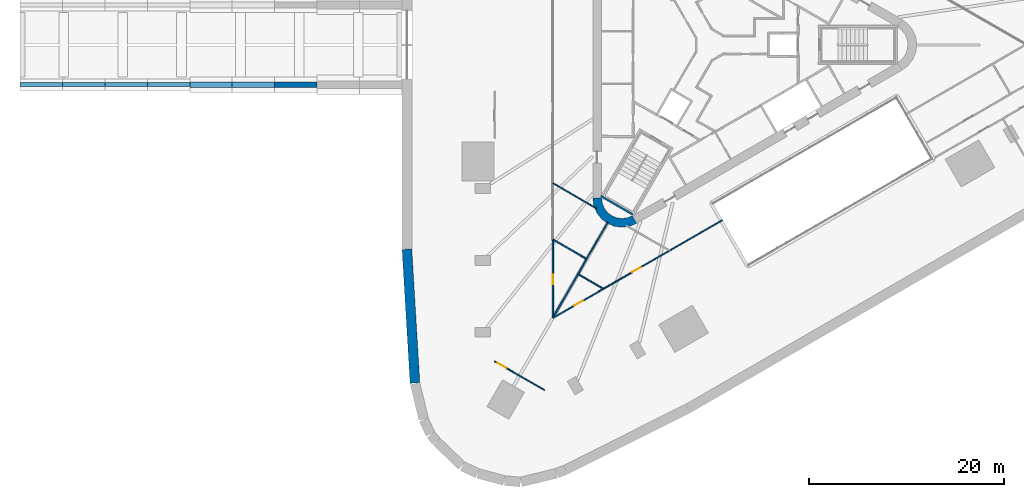
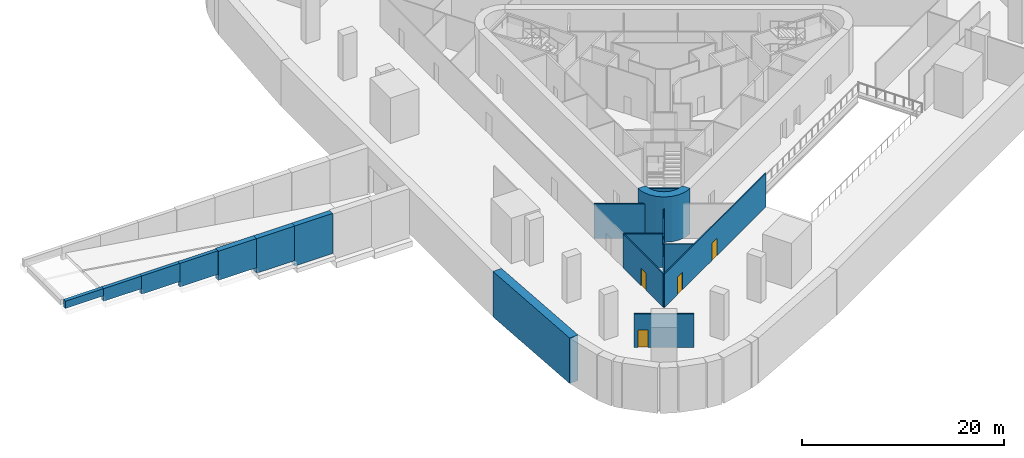
# One storey, part 3 of 13: 19 walls, 4 doors, 4 openings.
"""IFC4 building model written with IfcOpenShell, lengths in metres."""

from ifc_helpers import new_model, si_unit, direction, frame, frame_2d, origin, place, context, subcontext, project, spatial, polyline, rectangle, outline, extrude, material, layer, layer_set, type_object, element, fill, save


model = new_model("IFC4")

# Units and contexts
model_context = context("Model", 3, precision=1e-05, world=origin(), true_north=direction((0.0, 1.0)))
body_context = subcontext(model_context, "Body", "Model", "MODEL_VIEW")
ifc_project = project(units=[si_unit("LENGTHUNIT", "METRE"), si_unit("AREAUNIT", "SQUARE_METRE"), si_unit("VOLUMEUNIT", "CUBIC_METRE"), si_unit("PLANEANGLEUNIT", "RADIAN"), si_unit("MASSUNIT", "GRAM", prefix="KILO")], contexts=[model_context])

# Site, building, storey
site_placement = place(None, origin())
site = spatial("IfcSite", under=ifc_project, at=site_placement, CompositionType="ELEMENT")
building_placement = place(site_placement, origin())
building = spatial("IfcBuilding", under=site, at=building_placement, Name="Tanit Gate Tower", CompositionType="ELEMENT")
storey_placement = place(building_placement, frame((0.0, 0.0, -5.5)))
storey = spatial("IfcBuildingStorey", under=building, at=storey_placement, Name="B1", CompositionType="ELEMENT", Elevation=-5.5)

# Walls
ifc_material_1 = material(Name="Concrete C60/75", Category="concrete")
ifc_layer_1 = layer(ifc_material_1, 0.89990234375)
ifc_layer_set_1 = layer_set([ifc_layer_1], Name="CORE WALL 900 C60/75")
wall_type_1 = type_object("IfcWallType", Name="CORE WALL 900 C60/75", PredefinedType="SHEAR", material=ifc_layer_set_1)
wall_1_placement = place(storey_placement, origin())
element("IfcWall", 1, at=wall_1_placement, inside=storey, type_object=wall_type_1, Name="CORE WALL CORNER", PredefinedType="SHEAR", context=body_context, shape_type="SweptSolid", body=[
    extrude(outline(polyline([(-12.10009765625, -15.76171875), (-11.997802734375, -16.5380859375), (-11.697998046875, -17.26171875), (-11.22119140625, -17.883056640625), (-10.60009765625, -18.359619140625), (-9.87646484375, -18.659423828125), (-9.10009765625, -18.76171875), (-8.323486328125, -18.659423828125), (-7.60009765625, -18.359619140625), (-8.050048828125, -17.580322265625), (-8.556396484375, -17.7900390625), (-9.10009765625, -17.86181640625), (-9.6435546875, -17.7900390625), (-10.14990234375, -17.580322265625), (-10.5849609375, -17.24658203125), (-10.918701171875, -16.811767578125), (-11.12841796875, -16.30517578125), (-11.199951171875, -15.76171875), (-12.10009765625, -15.76171875)])), origin(), (0.0, 0.0, 1.0), 5.5),
])
ifc_material_2 = material(Name="Concrete C35/45", Category="concrete")
ifc_layer_2 = layer(ifc_material_2, 1.0)
ifc_layer_set_2 = layer_set([ifc_layer_2], Name="DIAPHRAGM WALL 1000 C35/45")
wall_type_2 = type_object("IfcWallType", Name="DIAPHRAGM WALL 1000 C35/45", PredefinedType="SHEAR", material=ifc_layer_set_2)
wall_2_placement = place(storey_placement, frame((-30.391845703125, -34.78173828125, 0.0), z_axis=(0.0, 0.0, 1.0), x_axis=(-0.059791438035, 0.998210891514, 0.0)))
element("IfcWall", 2, at=wall_2_placement, inside=storey, type_object=wall_type_2, Name="DIAPHRAGM WALL", PredefinedType="SHEAR", context=body_context, shape_type="SweptSolid", body=[
    extrude(rectangle(XDim=13.797119140625, YDim=1.0, at=frame_2d((6.8984375, 0.0))), origin(), (0.0, 0.0, 1.0), 5.5),
])

# Wall, openings, doors
ifc_material_3 = material(Name="Gypsum board partition")
ifc_layer_3 = layer(ifc_material_3, 0.1201171875)
ifc_layer_set_3 = layer_set([ifc_layer_3], Name="INT-WALL-PARTITION")
wall_type_3 = type_object("IfcWallType", Name="INT-WALL-PARTITION", PredefinedType="PARTITIONING", material=ifc_layer_set_3)
wall_3_placement = place(storey_placement, frame((-16.18994140625, -28.07666015625, 0.0), z_axis=(0.0, 0.0, 1.0), x_axis=(0.866271440356, 0.499573609816, 0.0)))
wall_3 = element("IfcWall", 3, at=wall_3_placement, inside=storey, type_object=wall_type_3, Name="Wall Partition W097", PredefinedType="PARTITIONING", context=body_context, shape_type="SweptSolid", body=[
    extrude(rectangle(XDim=20.1171875, YDim=0.1201171875, at=frame_2d((10.05859375, 0.0))), origin(), (0.0, 0.0, 1.0), 4.070068359375),
])
opening_1_placement = place(wall_3_placement, frame((9.397216796875, 0.0, 0.0)))
opening_1 = element("IfcOpeningElement", 4, at=opening_1_placement, cuts=wall_3, Name="Opening D10-B1-34", PredefinedType="OPENING", context=body_context, shape_type="SweptSolid", body=[
    extrude(rectangle(XDim=1.0, YDim=2.10009765625, at=frame_2d((0.5, 1.050048828125))), frame((0.0, 0.070068359375, 0.0), z_axis=(0.0, -1.0, 0.0), x_axis=(1.0, 0.0, 0.0)), (0.0, 0.0, 1.0), 0.14013671875),
])
opening_2_placement = place(wall_3_placement, frame((2.529541015625, 0.0, 0.0)))
opening_2 = element("IfcOpeningElement", 5, at=opening_2_placement, cuts=wall_3, Name="Opening D10-B1-35", PredefinedType="OPENING", context=body_context, shape_type="SweptSolid", body=[
    extrude(rectangle(XDim=1.0, YDim=2.10009765625, at=frame_2d((0.5, 1.050048828125))), frame((0.0, 0.070068359375, 0.0), z_axis=(0.0, -1.0, 0.0), x_axis=(1.0, 0.0, 0.0)), (0.0, 0.0, 1.0), 0.14013671875),
])
ifc_material_4 = material(Name="Timber door leaf", Category="wood")
door_type_1 = type_object("IfcDoorType", Name="INT-DOOR-SINGLE-1000", OperationType="NOTDEFINED", PredefinedType="NOTDEFINED", material=ifc_material_4)
door_1_placement = place(opening_1_placement, origin())
door_1 = element("IfcDoor", 6, at=door_1_placement, inside=storey, type_object=door_type_1, Name="Door D10-B1-34", OperationType="SINGLE_SWING_LEFT", OverallHeight=2.10009765625, OverallWidth=1.0, PredefinedType="NOTDEFINED", context=body_context, shape_type="SweptSolid", body=[
    extrude(rectangle(XDim=1.0, YDim=2.10009765625, at=frame_2d((0.5, 1.050048828125))), frame((0.0, 0.02490234375, 0.0), z_axis=(0.0, -1.0, 0.0), x_axis=(1.0, 0.0, 0.0)), (0.0, 0.0, 1.0), 0.050048828125),
])
fill(opening_1, door_1)
door_2_placement = place(opening_2_placement, origin())
door_2 = element("IfcDoor", 7, at=door_2_placement, inside=storey, type_object=door_type_1, Name="Door D10-B1-35", OperationType="SINGLE_SWING_RIGHT", OverallHeight=2.10009765625, OverallWidth=1.0, PredefinedType="NOTDEFINED", context=body_context, shape_type="SweptSolid", body=[
    extrude(rectangle(XDim=1.0, YDim=2.10009765625, at=frame_2d((0.5, 1.050048828125))), frame((0.0, 0.02490234375, 0.0), z_axis=(0.0, -1.0, 0.0), x_axis=(1.0, 0.0, 0.0)), (0.0, 0.0, 1.0), 0.050048828125),
])
fill(opening_2, door_2)

# Wall, opening, door
wall_4_placement = place(storey_placement, frame((-22.199951171875, -32.540771484375, 0.0), z_axis=(0.0, 0.0, 1.0), x_axis=(0.866020498397, -0.500008496284, 0.0)))
wall_4 = element("IfcWall", 8, at=wall_4_placement, inside=storey, type_object=wall_type_3, Name="Wall Partition W100", PredefinedType="PARTITIONING", context=body_context, shape_type="SweptSolid", body=[
    extrude(rectangle(XDim=5.91064453125, YDim=0.1201171875, at=frame_2d((2.955322265625, 0.0))), origin(), (0.0, 0.0, 1.0), 4.070068359375),
])
opening_3_placement = place(wall_4_placement, frame((0.38330078125, 0.0, 0.0)))
opening_3 = element("IfcOpeningElement", 9, at=opening_3_placement, cuts=wall_4, Name="Opening D10-B1-38", PredefinedType="OPENING", context=body_context, shape_type="SweptSolid", body=[
    extrude(rectangle(XDim=1.0, YDim=2.10009765625, at=frame_2d((0.5, 1.050048828125))), frame((0.0, 0.070068359375, 0.0), z_axis=(0.0, -1.0, 0.0), x_axis=(1.0, 0.0, 0.0)), (0.0, 0.0, 1.0), 0.14013671875),
])
door_3_placement = place(opening_3_placement, origin())
door_3 = element("IfcDoor", 10, at=door_3_placement, inside=storey, type_object=door_type_1, Name="Door D10-B1-38", OperationType="SINGLE_SWING_LEFT", OverallHeight=2.10009765625, OverallWidth=1.0, PredefinedType="NOTDEFINED", context=body_context, shape_type="SweptSolid", body=[
    extrude(rectangle(XDim=1.0, YDim=2.10009765625, at=frame_2d((0.5, 1.050048828125))), frame((0.0, 0.02490234375, 0.0), z_axis=(0.0, -1.0, 0.0), x_axis=(1.0, 0.0, 0.0)), (0.0, 0.0, 1.0), 0.050048828125),
])
fill(opening_3, door_3)

# Walls
wall_5_placement = place(storey_placement, frame((-16.199951171875, -14.226318359375, 0.0), z_axis=(0.0, 0.0, 1.0), x_axis=(0.863501067027, -0.504347010741, 0.0)))
element("IfcWall", 11, at=wall_5_placement, inside=storey, type_object=wall_type_3, Name="Wall Partition W109", PredefinedType="PARTITIONING", context=body_context, shape_type="SweptSolid", body=[
    extrude(rectangle(XDim=5.16552734375, YDim=0.1201171875, at=frame_2d((2.582763671875, 0.0))), origin(), (0.0, 0.0, 1.0), 4.179931640625),
])
wall_6_placement = place(storey_placement, frame((-10.549072265625, -18.211669921875, 0.0), z_axis=(0.0, 0.0, 1.0), x_axis=(-0.500006121477, -0.866021869519, 0.0)))
element("IfcWall", 12, at=wall_6_placement, inside=storey, type_object=wall_type_3, Name="Wall Partition W116", PredefinedType="PARTITIONING", context=body_context, shape_type="SweptSolid", body=[
    extrude(rectangle(XDim=4.42041015625, YDim=0.1201171875, at=frame_2d((2.210205078125, 0.0))), origin(), (0.0, 0.0, 1.0), 4.070068359375),
])
wall_7_placement = place(storey_placement, frame((-13.550048828125, -23.619384765625, 0.0), z_axis=(0.0, 0.0, 1.0), x_axis=(0.865340043372, -0.501185204627, 0.0)))
element("IfcWall", 13, at=wall_7_placement, inside=storey, type_object=wall_type_3, Name="Wall Partition W119", PredefinedType="PARTITIONING", context=body_context, shape_type="SweptSolid", body=[
    extrude(rectangle(XDim=2.90771484375, YDim=0.1201171875, at=frame_2d((1.453857421875, 0.0))), origin(), (0.0, 0.0, 1.0), 4.070068359375),
])

# Wall, opening, door
ifc_material_5 = material(Name="Fire-rated gypsum board partition")
ifc_layer_4 = layer(ifc_material_5, 0.14990234375)
ifc_layer_set_4 = layer_set([ifc_layer_4], Name="INT-WALL-RISER")
wall_type_4 = type_object("IfcWallType", Name="INT-WALL-RISER", PredefinedType="PLUMBINGWALL", material=ifc_layer_set_4)
wall_8_placement = place(storey_placement, frame((-16.219970703125, -28.059326171875, 0.0), z_axis=(0.0, 0.0, 1.0), x_axis=(0.0, 1.0, 0.0)))
wall_8 = element("IfcWall", 14, at=wall_8_placement, inside=storey, type_object=wall_type_4, Name="Wall Riser W095", PredefinedType="PLUMBINGWALL", context=body_context, shape_type="SweptSolid", body=[
    extrude(rectangle(XDim=8.005859375, YDim=0.14990234375, at=frame_2d((4.0029296875, 0.0))), origin(), (0.0, 0.0, 1.0), 4.070068359375),
])
opening_4_placement = place(wall_8_placement, frame((3.417236328125, 0.0, 0.0)))
opening_4 = element("IfcOpeningElement", 15, at=opening_4_placement, cuts=wall_8, Name="Opening F10-B1-33", PredefinedType="OPENING", context=body_context, shape_type="SweptSolid", body=[
    extrude(rectangle(XDim=1.0, YDim=2.10009765625, at=frame_2d((0.5, 1.050048828125))), frame((0.0, 0.0849609375, 0.0), z_axis=(0.0, -1.0, 0.0), x_axis=(1.0, 0.0, 0.0)), (0.0, 0.0, 1.0), 0.169921875),
])
ifc_material_6 = material(Name="Fire-rated steel door leaf", Category="steel")
door_type_2 = type_object("IfcDoorType", Name="INT-DOOR-FIRE-1000", OperationType="NOTDEFINED", PredefinedType="USERDEFINED", material=ifc_material_6)
door_4_placement = place(opening_4_placement, origin())
door_4 = element("IfcDoor", 16, at=door_4_placement, inside=storey, type_object=door_type_2, Name="Door F10-B1-33", ObjectType="FIRE DOOR", OperationType="SINGLE_SWING_RIGHT", OverallHeight=2.10009765625, OverallWidth=1.0, PredefinedType="USERDEFINED", context=body_context, shape_type="SweptSolid", body=[
    extrude(rectangle(XDim=1.0, YDim=2.10009765625, at=frame_2d((0.5, 1.050048828125))), frame((0.0, 0.02490234375, 0.0), z_axis=(0.0, -1.0, 0.0), x_axis=(1.0, 0.0, 0.0)), (0.0, 0.0, 1.0), 0.050048828125),
])
fill(opening_4, door_4)

# Walls
wall_9_placement = place(storey_placement, frame((-16.199951171875, -20.0234375, 0.0), z_axis=(0.0, 0.0, 1.0), x_axis=(0.866525298426, -0.499133155769, 0.0)))
element("IfcWall", 17, at=wall_9_placement, inside=storey, type_object=wall_type_4, Name="Wall Riser W115", PredefinedType="PLUMBINGWALL", context=body_context, shape_type="SweptSolid", body=[
    extrude(rectangle(XDim=4.017822265625, YDim=0.14990234375, at=frame_2d((2.0087890625, 0.0))), origin(), (0.0, 0.0, 1.0), 4.070068359375),
])
wall_10_placement = place(storey_placement, frame((-12.75927734375, -22.039794921875, 0.0), z_axis=(0.0, 0.0, 1.0), x_axis=(-0.485722500315, -0.874113066306, 0.0)))
element("IfcWall", 18, at=wall_10_placement, inside=storey, type_object=wall_type_4, Name="Wall Riser W117", PredefinedType="PLUMBINGWALL", context=body_context, shape_type="SweptSolid", body=[
    extrude(rectangle(XDim=1.823486328125, YDim=0.14990234375, at=frame_2d((0.91162109375, 0.0))), origin(), (0.0, 0.0, 1.0), 4.070068359375),
])
wall_11_placement = place(storey_placement, frame((-16.199951171875, -28.059326171875, 0.0), z_axis=(0.0, 0.0, 1.0), x_axis=(0.499979710414, 0.866037117665, 0.0)))
element("IfcWall", 19, at=wall_11_placement, inside=storey, type_object=wall_type_4, Name="Wall Riser W118", PredefinedType="PLUMBINGWALL", context=body_context, shape_type="SweptSolid", body=[
    extrude(rectangle(XDim=5.230224609375, YDim=0.14990234375, at=frame_2d((2.615234375, 0.0))), origin(), (0.0, 0.0, 1.0), 4.070068359375),
])
ifc_material_7 = material(Name="Concrete C40/50", Category="concrete")
ifc_layer_5 = layer(ifc_material_7, 0.199951171875)
ifc_layer_set_5 = layer_set([ifc_layer_5], Name="INT-WALL-STAIR")
wall_type_5 = type_object("IfcWallType", Name="INT-WALL-STAIR", PredefinedType="SHEAR", material=ifc_layer_set_5)
wall_12_placement = place(storey_placement, frame((-11.281982421875, -15.541015625, -0.39990234375), z_axis=(0.0, 0.0, 1.0), x_axis=(0.866000483506, -0.500043160704, 0.0)))
element("IfcWall", 20, at=wall_12_placement, inside=storey, type_object=wall_type_5, Name="Wall Stair W025", PredefinedType="SHEAR", context=body_context, shape_type="SweptSolid", body=[
    extrude(rectangle(XDim=3.800048828125, YDim=0.199951171875, at=frame_2d((1.89990234375, 0.0))), origin(), (0.0, 0.0, 1.0), 5.5),
])
ifc_material_8 = material(Name="Concrete C35/45", Category="concrete")
ifc_layer_6 = layer(ifc_material_8, 0.39990234375)
ifc_layer_set_6 = layer_set([ifc_layer_6], Name="RETAINING WALL 400 C35/45")
wall_type_6 = type_object("IfcWallType", Name="RETAINING WALL 400 C35/45", PredefinedType="SOLIDWALL", material=ifc_layer_set_6)
wall_13_placement = place(storey_placement, frame((-53.542236328125, -4.10009765625, 2.630859375), z_axis=(0.0, 0.0, 1.0), x_axis=(-1.0, 0.0, 0.0)))
element("IfcWall", 21, at=wall_13_placement, inside=storey, type_object=wall_type_6, Name="RETAINING WALL", PredefinedType="SOLIDWALL", context=body_context, shape_type="SweptSolid", body=[
    extrude(rectangle(XDim=4.364501953125, YDim=0.39990234375, at=frame_2d((2.18212890625, 0.0))), origin(), (0.0, 0.0, 1.0), 2.869140625),
])
wall_14_placement = place(storey_placement, frame((-57.90673828125, -4.10009765625, 3.29248046875), z_axis=(0.0, 0.0, 1.0), x_axis=(-1.0, 0.0, 0.0)))
element("IfcWall", 22, at=wall_14_placement, inside=storey, type_object=wall_type_6, Name="RETAINING WALL", PredefinedType="SOLIDWALL", context=body_context, shape_type="SweptSolid", body=[
    extrude(rectangle(XDim=4.3642578125, YDim=0.39990234375, at=frame_2d((2.18212890625, 0.0))), origin(), (0.0, 0.0, 1.0), 2.20751953125),
])
wall_15_placement = place(storey_placement, frame((-62.27099609375, -4.10009765625, 3.9541015625), z_axis=(0.0, 0.0, 1.0), x_axis=(-1.0, 0.0, 0.0)))
element("IfcWall", 23, at=wall_15_placement, inside=storey, type_object=wall_type_6, Name="RETAINING WALL", PredefinedType="SOLIDWALL", context=body_context, shape_type="SweptSolid", body=[
    extrude(rectangle(XDim=4.364501953125, YDim=0.39990234375, at=frame_2d((2.18212890625, 0.0))), origin(), (0.0, 0.0, 1.0), 1.5458984375),
])
wall_16_placement = place(storey_placement, frame((-66.635498046875, -4.10009765625, 4.61572265625), z_axis=(0.0, 0.0, 1.0), x_axis=(-1.0, 0.0, 0.0)))
element("IfcWall", 24, at=wall_16_placement, inside=storey, type_object=wall_type_6, Name="RETAINING WALL", PredefinedType="SOLIDWALL", context=body_context, shape_type="SweptSolid", body=[
    extrude(rectangle(XDim=4.364501953125, YDim=0.39990234375, at=frame_2d((2.18212890625, 0.0))), origin(), (0.0, 0.0, 1.0), 0.88427734375),
])
ifc_material_9 = material(Name="Concrete C35/45", Category="concrete")
ifc_layer_7 = layer(ifc_material_9, 0.60009765625)
ifc_layer_set_7 = layer_set([ifc_layer_7], Name="RETAINING WALL 600 C35/45")
wall_type_7 = type_object("IfcWallType", Name="RETAINING WALL 600 C35/45", PredefinedType="SOLIDWALL", material=ifc_layer_set_7)
wall_17_placement = place(storey_placement, frame((-40.448974609375, -4.10009765625, 0.64599609375), z_axis=(0.0, 0.0, 1.0), x_axis=(-1.0, 0.0, 0.0)))
element("IfcWall", 25, at=wall_17_placement, inside=storey, type_object=wall_type_7, Name="RETAINING WALL", PredefinedType="SOLIDWALL", context=body_context, shape_type="SweptSolid", body=[
    extrude(rectangle(XDim=4.3642578125, YDim=0.60009765625, at=frame_2d((2.18212890625, 0.0))), origin(), (0.0, 0.0, 1.0), 4.85400390625),
])
wall_18_placement = place(storey_placement, frame((-44.813232421875, -4.10009765625, 1.3076171875), z_axis=(0.0, 0.0, 1.0), x_axis=(-1.0, 0.0, 0.0)))
element("IfcWall", 26, at=wall_18_placement, inside=storey, type_object=wall_type_7, Name="RETAINING WALL", PredefinedType="SOLIDWALL", context=body_context, shape_type="SweptSolid", body=[
    extrude(rectangle(XDim=4.364501953125, YDim=0.60009765625, at=frame_2d((2.18212890625, 0.0))), origin(), (0.0, 0.0, 1.0), 4.1923828125),
])
wall_19_placement = place(storey_placement, frame((-49.177734375, -4.10009765625, 1.96923828125), z_axis=(0.0, 0.0, 1.0), x_axis=(-1.0, 0.0, 0.0)))
element("IfcWall", 27, at=wall_19_placement, inside=storey, type_object=wall_type_7, Name="RETAINING WALL", PredefinedType="SOLIDWALL", context=body_context, shape_type="SweptSolid", body=[
    extrude(rectangle(XDim=4.364501953125, YDim=0.60009765625, at=frame_2d((2.18212890625, 0.0))), origin(), (0.0, 0.0, 1.0), 3.53076171875),
])

save(model, "model.ifc")
